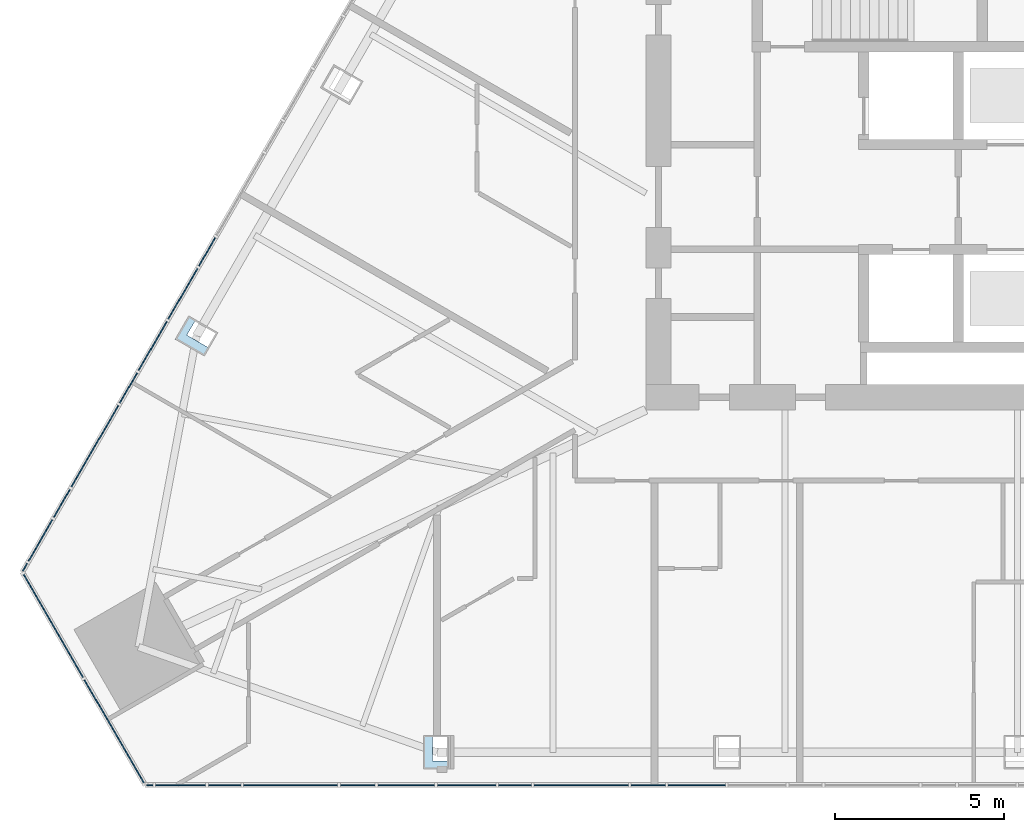
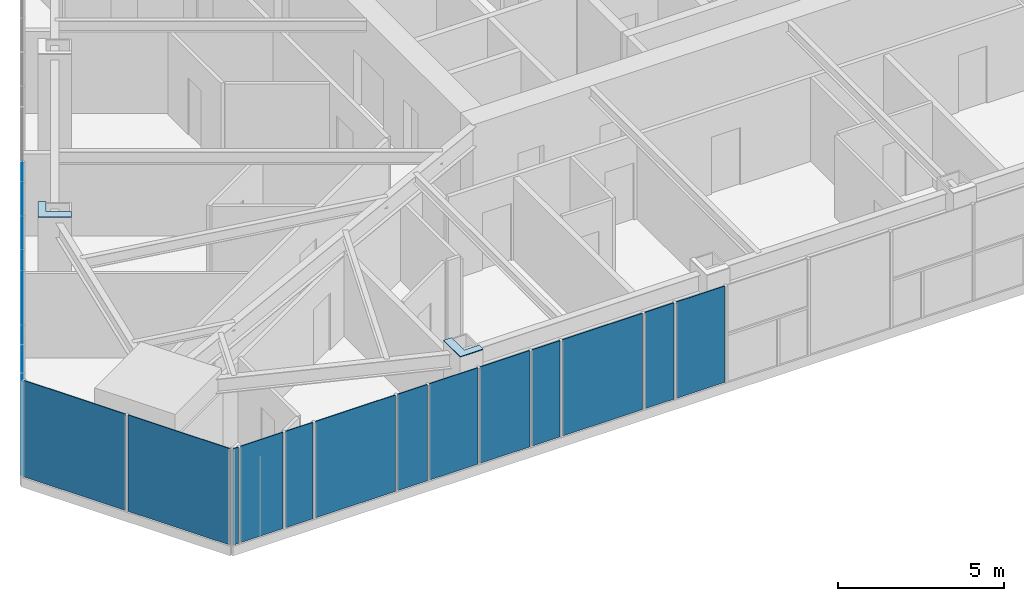
# One storey, part 13 of 24: 23 plates, 3 elements without a shape of their own.
"""IFC4 building model written with IfcOpenShell, lengths in metres."""

from ifc_helpers import new_model, si_unit, direction, frame, origin, place, context, subcontext, project, spatial, polyline, outline, extrude, material, layer, layer_set, type_object, element, aggregate, save


model = new_model("IFC4")

# Units and contexts
model_context = context("Model", 3, precision=1e-05, world=origin(), true_north=direction((0.0, 1.0)))
body_context = subcontext(model_context, "Body", "Model", "MODEL_VIEW")
ifc_project = project(units=[si_unit("LENGTHUNIT", "METRE"), si_unit("AREAUNIT", "SQUARE_METRE"), si_unit("VOLUMEUNIT", "CUBIC_METRE"), si_unit("PLANEANGLEUNIT", "RADIAN"), si_unit("MASSUNIT", "GRAM", prefix="KILO")], contexts=[model_context])

# Site, building, storey
site_placement = place(None, origin())
site = spatial("IfcSite", under=ifc_project, at=site_placement, CompositionType="ELEMENT")
building_placement = place(site_placement, origin())
building = spatial("IfcBuilding", under=site, at=building_placement, Name="Firuza Gate Tower and Library", CompositionType="ELEMENT")
storey_placement = place(building_placement, frame((0.0, 0.0, 206.5)))
storey = spatial("IfcBuildingStorey", under=building, at=storey_placement, Name="L48", CompositionType="ELEMENT", Elevation=206.5)

# Plates
ifc_material_1 = material(Name="Steel S355", Category="steel")
ifc_layer_1 = layer(ifc_material_1, 0.030029296875)
ifc_layer_set_1 = layer_set([ifc_layer_1], Name="Column infill plate 30 Steel S355")
plate_type_1 = type_object("IfcPlateType", Name="Column infill plate 30 Steel S355", PredefinedType="SHEET", material=ifc_layer_set_1)
placement_1 = place(storey_placement, frame((0.0, 0.0, 3.89990234375)))
element("IfcPlate", 1, at=placement_1, inside=storey, type_object=plate_type_1, Name="Infill plate L48:S1", PredefinedType="SHEET", context=body_context, shape_type="SweptSolid", body=[
    extrude(outline(polyline([(58.212646484375, 56.3583984375), (58.212646484375, 56.597412109375), (57.688720703125, 56.597412109375), (57.688720703125, 57.3583984375), (57.41259765625, 57.3583984375), (57.41259765625, 56.3583984375), (58.212646484375, 56.3583984375)])), origin(), (0.0, 0.0, 1.0), 0.030029296875),
])
element("IfcPlate", 2, at=placement_1, inside=storey, type_object=plate_type_1, Name="Infill plate L48:W5", PredefinedType="SHEET", context=body_context, shape_type="SweptSolid", body=[
    extrude(outline(polyline([(50.927978515625, 68.589599609375), (51.066162109375, 68.828857421875), (50.4072265625, 69.209228515625), (50.669189453125, 69.662841796875), (50.462158203125, 69.782470703125), (50.06201171875, 69.089599609375), (50.927978515625, 68.589599609375)])), origin(), (0.0, 0.0, 1.0), 0.030029296875),
])

# Curtain wall, plates
ifc_material_2 = material(Name="Aluminium 6063-T6", Category="aluminium")
ifc_layer_2 = layer(ifc_material_2, 0.14990234375)
ifc_layer_set_2 = layer_set([ifc_layer_2], Name="Corner curtain wall, chamfers")
curtain_wall_type_1 = type_object("IfcCurtainWallType", Name="Corner curtain wall, chamfers", PredefinedType="NOTDEFINED", material=ifc_layer_set_2)
placement_2 = place(storey_placement, origin())
curtain_wall_1 = element("IfcCurtainWall", 3, at=placement_2, inside=storey, type_object=curtain_wall_type_1, Name="CW4 L48 SW corner", PredefinedType="NOTDEFINED")
ifc_material_3 = material(Name="Fritted glass", Category="glass")
ifc_layer_3 = layer(ifc_material_3, 0.030029296875)
ifc_layer_set_3 = layer_set([ifc_layer_3], Name="Fritted glass unit, corners")
plate_type_2 = type_object("IfcPlateType", Name="Fritted glass unit, corners", PredefinedType="CURTAIN_PANEL", material=ifc_layer_set_3)
plate_3_placement = place(storey_placement, frame((45.539306640625, 62.151611328125, 0.14990234375), z_axis=(-0.866046390552, -0.49996364809, 0.0), x_axis=(0.49996364809, -0.866046390552, 0.0)))
plate_3 = element("IfcPlate", 4, at=plate_3_placement, type_object=plate_type_2, Name="Glass unit", PredefinedType="CURTAIN_PANEL", context=body_context, shape_type="SweptSolid", body=[
    extrude(outline(polyline([(0.0, 0.0), (3.563247342942594, 0.0), (3.563247342942594, 3.550048828125), (0.0, 3.550048828125), (0.0, 0.0)])), origin(), (0.0, 0.0, -1.0), 0.030029296875),
])
plate_4_placement = place(storey_placement, frame((47.36083984375, 58.996337890625, 0.14990234375), z_axis=(-0.866016723041, -0.500015035186, 0.0), x_axis=(0.500015035186, -0.866016723041, 0.0)))
plate_4 = element("IfcPlate", 5, at=plate_4_placement, type_object=plate_type_2, Name="Glass unit", PredefinedType="CURTAIN_PANEL", context=body_context, shape_type="SweptSolid", body=[
    extrude(outline(polyline([(0.0, 0.0), (3.5633694106530625, 0.0), (3.5633694106530625, 3.550048828125), (0.0, 3.550048828125), (0.0, 0.0)])), origin(), (0.0, 0.0, -1.0), 0.030029296875),
])
aggregate(curtain_wall_1, [plate_3, plate_4])

ifc_material_4 = material(Name="Aluminium 6063-T6", Category="aluminium")
ifc_layer_4 = layer(ifc_material_4, 0.14990234375)
ifc_layer_set_4 = layer_set([ifc_layer_4], Name="Unitised curtain wall, hotel")
curtain_wall_type_2 = type_object("IfcCurtainWallType", Name="Unitised curtain wall, hotel", PredefinedType="NOTDEFINED", material=ifc_layer_set_4)
curtain_wall_2 = element("IfcCurtainWall", 6, at=placement_2, inside=storey, type_object=curtain_wall_type_2, Name="CW2 L48 S face", PredefinedType="NOTDEFINED")
ifc_material_5 = material(Name="Fritted glass", Category="glass")
ifc_layer_5 = layer(ifc_material_5, 0.030029296875)
ifc_layer_set_5 = layer_set([ifc_layer_5], Name="Fritted glass unit, hotel")
plate_type_3 = type_object("IfcPlateType", Name="Fritted glass unit, hotel", PredefinedType="CURTAIN_PANEL", material=ifc_layer_set_5)
plate_5_placement = place(storey_placement, frame((49.481689453125, 55.868408203125, 0.14990234375), z_axis=(0.0, -1.0, 0.0), x_axis=(1.0, 0.0, 0.0)))
plate_5 = element("IfcPlate", 7, at=plate_5_placement, type_object=plate_type_3, Name="Glass unit", PredefinedType="CURTAIN_PANEL", context=body_context, shape_type="SweptSolid", body=[
    extrude(outline(polyline([(0.0, 0.0), (1.483642578125, 0.0), (1.483642578125, 3.550048828125), (0.0, 3.550048828125), (0.0, 0.0)])), origin(), (0.0, 0.0, -1.0), 0.030029296875),
])
plate_6_placement = place(storey_placement, frame((56.066162109375, 55.868408203125, 0.14990234375), z_axis=(0.0, -1.0, 0.0), x_axis=(1.0, 0.0, 0.0)))
plate_6 = element("IfcPlate", 8, at=plate_6_placement, type_object=plate_type_3, Name="Glass unit", PredefinedType="CURTAIN_PANEL", context=body_context, shape_type="SweptSolid", body=[
    extrude(outline(polyline([(0.0, 0.0), (1.677490234375, 0.0), (1.677490234375, 3.550048828125), (0.0, 3.550048828125), (0.0, 0.0)])), origin(), (0.0, 0.0, -1.0), 0.030029296875),
])
plate_7_placement = place(storey_placement, frame((57.82373046875, 55.868408203125, 0.14990234375), z_axis=(0.0, -1.0, 0.0), x_axis=(1.0, 0.0, 0.0)))
plate_7 = element("IfcPlate", 9, at=plate_7_placement, type_object=plate_type_3, Name="Glass unit", PredefinedType="CURTAIN_PANEL", context=body_context, shape_type="SweptSolid", body=[
    extrude(outline(polyline([(0.0, 0.0), (1.7353515625, 0.0), (1.7353515625, 3.550048828125), (0.0, 3.550048828125), (0.0, 0.0)])), origin(), (0.0, 0.0, -1.0), 0.030029296875),
])
plate_8_placement = place(storey_placement, frame((64.659912109375, 55.868408203125, 0.14990234375), z_axis=(0.0, -1.0, 0.0), x_axis=(1.0, 0.0, 0.0)))
plate_8 = element("IfcPlate", 10, at=plate_8_placement, type_object=plate_type_3, Name="Glass unit", PredefinedType="CURTAIN_PANEL", context=body_context, shape_type="SweptSolid", body=[
    extrude(outline(polyline([(0.0, 0.0), (1.69189453125, 0.0), (1.69189453125, 3.550048828125), (0.0, 3.550048828125), (0.0, 0.0)])), origin(), (0.0, 0.0, -1.0), 0.030029296875),
])

curtain_wall_3 = element("IfcCurtainWall", 11, at=placement_2, inside=storey, type_object=curtain_wall_type_2, Name="CW2 L48 W face", PredefinedType="NOTDEFINED")
plate_9_placement = place(storey_placement, frame((50.7109375, 71.193603515625, 0.14990234375), z_axis=(-0.866035653305, 0.499982246889, 0.0), x_axis=(-0.499982246889, -0.866035653305, 0.0)))
plate_9 = element("IfcPlate", 12, at=plate_9_placement, type_object=plate_type_3, Name="Glass unit", PredefinedType="CURTAIN_PANEL", context=body_context, shape_type="SweptSolid", body=[
    extrude(outline(polyline([(0.0, 0.0), (1.7354131804664403, 0.0), (1.7354131804664403, 3.550048828125001), (0.0, 3.550048828125001), (0.0, 0.0)])), origin(), (0.0, 0.0, -1.0), 0.030029296875),
])
plate_10_placement = place(storey_placement, frame((49.80322265625, 69.621337890625, 0.14990234375), z_axis=(-0.86607653561, 0.499911426621, 0.0), x_axis=(-0.499911426621, -0.86607653561, 0.0)))
plate_10 = element("IfcPlate", 13, at=plate_10_placement, type_object=plate_type_3, Name="Glass unit", PredefinedType="CURTAIN_PANEL", context=body_context, shape_type="SweptSolid", body=[
    extrude(outline(polyline([(0.0, 0.0), (1.6775432651017221, 0.0), (1.6775432651017221, 3.550048828125), (0.0, 3.550048828125), (0.0, 0.0)])), origin(), (0.0, 0.0, -1.0), 0.030029296875),
])
plate_11_placement = place(storey_placement, frame((46.4140625, 63.751220703125, 0.14990234375), z_axis=(-0.866042287157, 0.499970756, 0.0), x_axis=(-0.499970756, -0.866042287157, 0.0)))
plate_11 = element("IfcPlate", 14, at=plate_11_placement, type_object=plate_type_3, Name="Glass unit", PredefinedType="CURTAIN_PANEL", context=body_context, shape_type="SweptSolid", body=[
    extrude(outline(polyline([(0.0, 0.0), (1.418539998817369, 0.0), (1.418539998817369, 3.550048828125), (0.0, 3.550048828125), (0.0, 0.0)])), origin(), (0.0, 0.0, -1.0), 0.030029296875),
])

# Plate
ifc_material_6 = material(Name="Glazed ceramic tile")
ifc_layer_6 = layer(ifc_material_6, 0.030029296875)
ifc_layer_set_6 = layer_set([ifc_layer_6], Name="Opaque ceramic panel, hotel")
plate_type_4 = type_object("IfcPlateType", Name="Opaque ceramic panel, hotel", PredefinedType="CURTAIN_PANEL", material=ifc_layer_set_6)
plate_12_placement = place(storey_placement, frame((49.215576171875, 55.868408203125, 0.14990234375), z_axis=(0.0, -1.0, 0.0), x_axis=(1.0, 0.0, 0.0)))
plate_12 = element("IfcPlate", 15, at=plate_12_placement, type_object=plate_type_4, Name="Opaque ceramic panel", PredefinedType="CURTAIN_PANEL", context=body_context, shape_type="SweptSolid", body=[
    extrude(outline(polyline([(0.0, 0.0), (0.18603515625, 0.0), (0.18603515625, 3.550048828125), (0.0, 3.550048828125), (0.0, 0.0)])), origin(), (0.0, 0.0, -1.0), 0.030029296875),
])

plate_13_placement = place(storey_placement, frame((51.045166015625, 55.868408203125, 0.14990234375), z_axis=(0.0, -1.0, 0.0), x_axis=(1.0, 0.0, 0.0)))
plate_13 = element("IfcPlate", 16, at=plate_13_placement, type_object=plate_type_4, Name="Opaque ceramic panel", PredefinedType="CURTAIN_PANEL", context=body_context, shape_type="SweptSolid", body=[
    extrude(outline(polyline([(0.0, 0.0), (0.959716796875, 0.0), (0.959716796875, 3.550048828125), (0.0, 3.550048828125), (0.0, 0.0)])), origin(), (0.0, 0.0, -1.0), 0.030029296875),
])

plate_14_placement = place(storey_placement, frame((52.0849609375, 55.868408203125, 0.14990234375), z_axis=(0.0, -1.0, 0.0), x_axis=(1.0, 0.0, 0.0)))
plate_14 = element("IfcPlate", 17, at=plate_14_placement, type_object=plate_type_4, Name="Opaque ceramic panel", PredefinedType="CURTAIN_PANEL", context=body_context, shape_type="SweptSolid", body=[
    extrude(outline(polyline([(0.0, 0.0), (2.789306640625, 0.0), (2.789306640625, 3.550048828125), (0.0, 3.550048828125), (0.0, 0.0)])), origin(), (0.0, 0.0, -1.0), 0.030029296875),
])

plate_15_placement = place(storey_placement, frame((54.954345703125, 55.868408203125, 0.14990234375), z_axis=(0.0, -1.0, 0.0), x_axis=(1.0, 0.0, 0.0)))
plate_15 = element("IfcPlate", 18, at=plate_15_placement, type_object=plate_type_4, Name="Opaque ceramic panel", PredefinedType="CURTAIN_PANEL", context=body_context, shape_type="SweptSolid", body=[
    extrude(outline(polyline([(0.0, 0.0), (1.03173828125, 0.0), (1.03173828125, 3.550048828125), (0.0, 3.550048828125), (0.0, 0.0)])), origin(), (0.0, 0.0, -1.0), 0.030029296875),
])

plate_16_placement = place(storey_placement, frame((59.638916015625, 55.868408203125, 0.14990234375), z_axis=(0.0, -1.0, 0.0), x_axis=(1.0, 0.0, 0.0)))
plate_16 = element("IfcPlate", 19, at=plate_16_placement, type_object=plate_type_4, Name="Opaque ceramic panel", PredefinedType="CURTAIN_PANEL", context=body_context, shape_type="SweptSolid", body=[
    extrude(outline(polyline([(0.0, 0.0), (0.97412109375, 0.0), (0.97412109375, 3.550048828125), (0.0, 3.550048828125), (0.0, 0.0)])), origin(), (0.0, 0.0, -1.0), 0.030029296875),
])

plate_17_placement = place(storey_placement, frame((60.693115234375, 55.868408203125, 0.14990234375), z_axis=(0.0, -1.0, 0.0), x_axis=(1.0, 0.0, 0.0)))
plate_17 = element("IfcPlate", 20, at=plate_17_placement, type_object=plate_type_4, Name="Opaque ceramic panel", PredefinedType="CURTAIN_PANEL", context=body_context, shape_type="SweptSolid", body=[
    extrude(outline(polyline([(0.0, 0.0), (2.789306640625, 0.0), (2.789306640625, 3.550048828125), (0.0, 3.550048828125), (0.0, 0.0)])), origin(), (0.0, 0.0, -1.0), 0.030029296875),
])

plate_18_placement = place(storey_placement, frame((63.5625, 55.868408203125, 0.14990234375), z_axis=(0.0, -1.0, 0.0), x_axis=(1.0, 0.0, 0.0)))
plate_18 = element("IfcPlate", 21, at=plate_18_placement, type_object=plate_type_4, Name="Opaque ceramic panel", PredefinedType="CURTAIN_PANEL", context=body_context, shape_type="SweptSolid", body=[
    extrude(outline(polyline([(0.0, 0.0), (1.017333984375, 0.0), (1.017333984375, 3.550048828125), (0.0, 3.550048828125), (0.0, 0.0)])), origin(), (0.0, 0.0, -1.0), 0.030029296875),
])

aggregate(curtain_wall_2, [plate_12, plate_5, plate_13, plate_14, plate_15, plate_6, plate_7, plate_16, plate_17, plate_18, plate_8])

plate_19_placement = place(storey_placement, frame((51.238037109375, 72.1064453125, 0.14990234375), z_axis=(-0.865997745606, 0.500047902311, 0.0), x_axis=(-0.500047902311, -0.865997745606, 0.0)))
plate_19 = element("IfcPlate", 22, at=plate_19_placement, type_object=plate_type_4, Name="Opaque ceramic panel", PredefinedType="CURTAIN_PANEL", context=body_context, shape_type="SweptSolid", body=[
    extrude(outline(polyline([(0.0, 0.0), (0.974027777387345, 0.0), (0.974027777387345, 3.550048828125), (0.0, 3.550048828125), (0.0, 0.0)])), origin(), (0.0, 0.0, -1.0), 0.030029296875),
])

plate_20_placement = place(storey_placement, frame((48.924560546875, 68.099365234375, 0.14990234375), z_axis=(-0.866035853028, 0.499981900942, 0.0), x_axis=(-0.499981900942, -0.866035853028, 0.0)))
plate_20 = element("IfcPlate", 23, at=plate_20_placement, type_object=plate_type_4, Name="Opaque ceramic panel", PredefinedType="CURTAIN_PANEL", context=body_context, shape_type="SweptSolid", body=[
    extrude(outline(polyline([(0.0, 0.0), (1.031775629583486, 0.0), (1.031775629583486, 3.550048828125), (0.0, 3.550048828125), (0.0, 0.0)])), origin(), (0.0, 0.0, -1.0), 0.030029296875),
])

plate_21_placement = place(storey_placement, frame((48.36865234375, 67.136474609375, 0.14990234375), z_axis=(-0.866020890646, 0.500007816904, 0.0), x_axis=(-0.500007816904, -0.866020890646, 0.0)))
plate_21 = element("IfcPlate", 24, at=plate_21_placement, type_object=plate_type_4, Name="Opaque ceramic panel", PredefinedType="CURTAIN_PANEL", context=body_context, shape_type="SweptSolid", body=[
    extrude(outline(polyline([(0.0, 0.0), (2.789507170632926, 0.0), (2.789507170632926, 3.550048828125), (0.0, 3.550048828125), (0.0, 0.0)])), origin(), (0.0, 0.0, -1.0), 0.030029296875),
])

plate_22_placement = place(storey_placement, frame((46.933837890625, 64.651611328125, 0.14990234375), z_axis=(-0.866058487353, 0.499942693199, 0.0), x_axis=(-0.499942693199, -0.866058487353, 0.0)))
plate_22 = element("IfcPlate", 25, at=plate_22_placement, type_object=plate_type_4, Name="Opaque ceramic panel", PredefinedType="CURTAIN_PANEL", context=body_context, shape_type="SweptSolid", body=[
    extrude(outline(polyline([(0.0, 0.0), (0.9595826374724483, 0.0), (0.9595826374724483, 3.550048828125), (0.0, 3.550048828125), (0.0, 0.0)])), origin(), (0.0, 0.0, -1.0), 0.030029296875),
])

plate_23_placement = place(storey_placement, frame((45.664794921875, 62.453369140625, 0.14990234375), z_axis=(-0.866201770413, 0.499694399542, 0.0), x_axis=(-0.499694399542, -0.866201770413, 0.0)))
plate_23 = element("IfcPlate", 26, at=plate_23_placement, type_object=plate_type_4, Name="Opaque ceramic panel", PredefinedType="CURTAIN_PANEL", context=body_context, shape_type="SweptSolid", body=[
    extrude(outline(polyline([(0.0, 0.0), (0.25113005341856437, 0.0), (0.25113005341856437, 3.550048828125), (0.0, 3.550048828125), (0.0, 0.0)])), origin(), (0.0, 0.0, -1.0), 0.030029296875),
])

aggregate(curtain_wall_3, [plate_19, plate_9, plate_10, plate_20, plate_21, plate_22, plate_11, plate_23])

save(model, "model.ifc")
